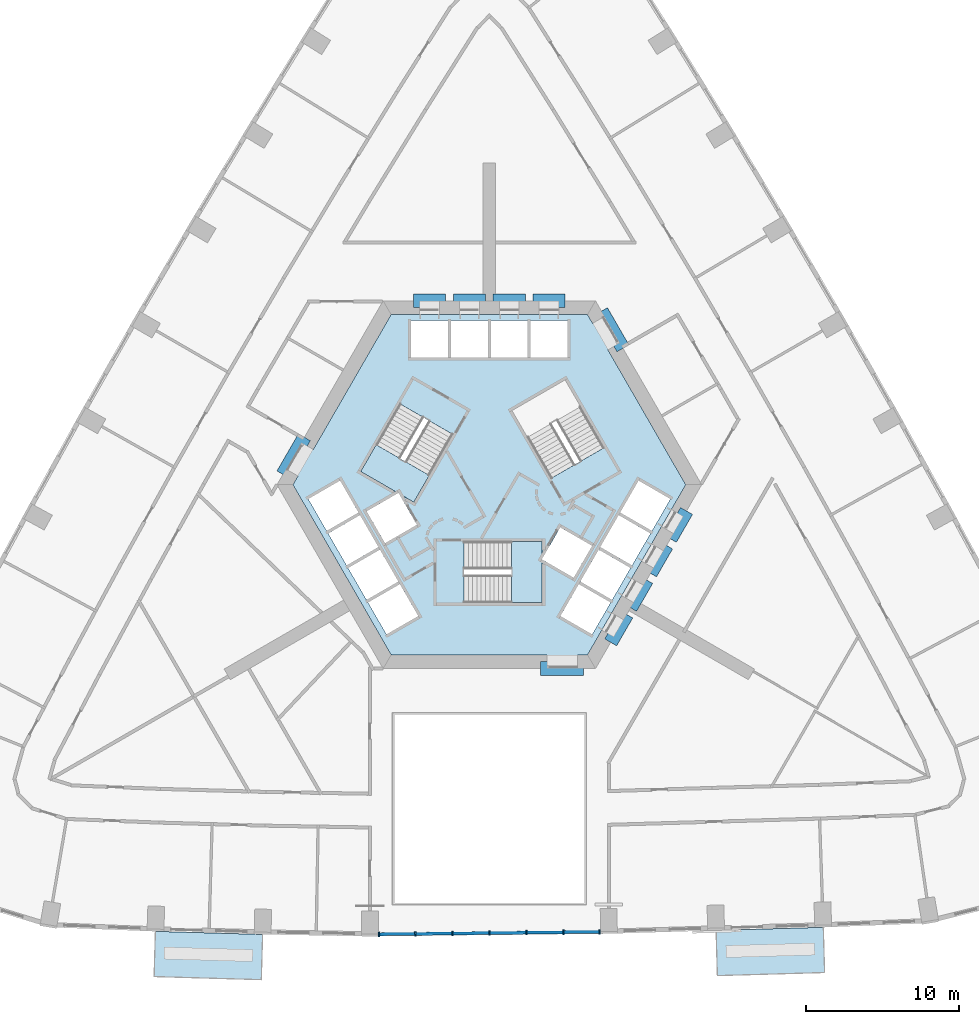
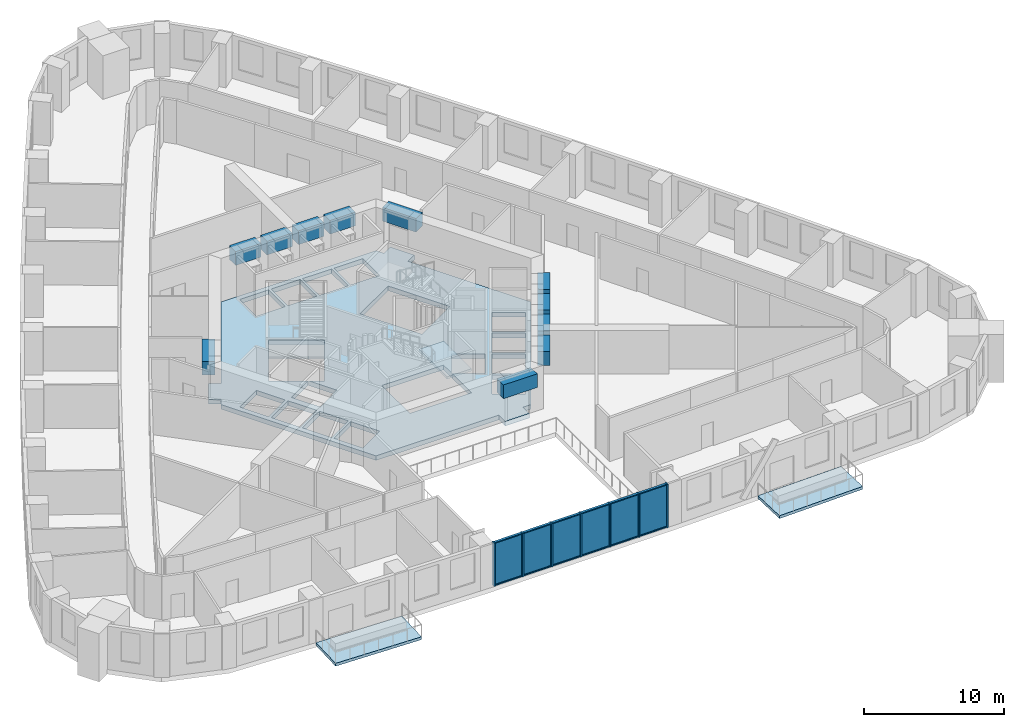
# One storey, part 2 of 14: 19 members, 11 beams, 6 plates, 5 slabs, 3 elements without a shape of their own.
"""IFC4 building model written with IfcOpenShell, lengths in metres."""

from ifc_helpers import new_model, si_unit, direction, frame, origin, origin_2d, place, context, subcontext, project, spatial, polyline, rectangle, outline, extrude, material, layer, layer_set, material_profile, profile_set, type_object, element, aggregate, save


model = new_model("IFC4")

# Units and contexts
model_context = context("Model", 3, precision=1e-05, world=origin(), true_north=direction((0.0, 1.0)))
body_context = subcontext(model_context, "Body", "Model", "MODEL_VIEW")
ifc_project = project(units=[si_unit("LENGTHUNIT", "METRE"), si_unit("AREAUNIT", "SQUARE_METRE"), si_unit("VOLUMEUNIT", "CUBIC_METRE"), si_unit("PLANEANGLEUNIT", "RADIAN"), si_unit("MASSUNIT", "GRAM", prefix="KILO")], contexts=[model_context])

# Site, building, storey
site_placement = place(None, origin())
site = spatial("IfcSite", under=ifc_project, at=site_placement, CompositionType="ELEMENT")
building_placement = place(site_placement, origin())
building = spatial("IfcBuilding", under=site, at=building_placement, Name="Entoto Arch Interchange Tower", CompositionType="ELEMENT")
storey_placement = place(building_placement, frame((0.0, 0.0, 103.39990234375)))
storey = spatial("IfcBuildingStorey", under=building, at=storey_placement, Name="L22", CompositionType="ELEMENT", Elevation=103.39990234375)

# Beams
ifc_material_1 = material(Name="Concrete C60/75", Category="concrete")
ifc_material_profile_1 = material_profile(ifc_material_1, rectangle(XDim=0.89990234375, YDim=1.199951171875, at=origin_2d()))
ifc_profile_set_1 = profile_set([ifc_material_profile_1], Name="Concrete C60/75")
beam_type = type_object("IfcBeamType", Name="Coupling beam RC 900x1200 C60/75", PredefinedType="BEAM", material=ifc_profile_set_1)
beam_1_placement = place(storey_placement, frame((8.717041015625, 11.402099609375, 3.0), z_axis=(-0.500200581029, 0.865909567298, 0.0), x_axis=(-0.865909567298, -0.500200581029, 0.0)))
element("IfcBeam", 1, at=beam_1_placement, inside=storey, type_object=beam_type, Name="Coupling beam NE L22", PredefinedType="BEAM", context=body_context, shape_type="SweptSolid", body=[
    extrude(rectangle(XDim=0.89990234375, YDim=1.199951171875, at=origin_2d()), origin(), (0.0, 0.0, 1.0), 2.799072265625),
])
beam_2_placement = place(storey_placement, frame((4.949951171875, 14.5, 3.0), z_axis=(-1.0, 0.0, 0.0), x_axis=(0.0, -1.0, 0.0)))
element("IfcBeam", 2, at=beam_2_placement, inside=storey, type_object=beam_type, Name="Coupling beam N L22", PredefinedType="BEAM", context=body_context, shape_type="SweptSolid", body=[
    extrude(rectangle(XDim=0.89990234375, YDim=1.199951171875, at=origin_2d()), origin(), (0.0, 0.0, 1.0), 2.099853515625),
])
for number, where, z_axis, x_axis, name in (
    (3, (2.35009765625, 14.5, 3.0), (-1.0, 0.0, 0.0), (0.0, -1.0, 0.0), "Coupling beam N L22"),
    (4, (-0.25, 14.5, 3.0), (-1.0, 0.0, 0.0), (0.0, -1.0, 0.0), "Coupling beam N L22"),
):
    element("IfcBeam", number, at=place(storey_placement, frame(where, z_axis=z_axis, x_axis=x_axis)), inside=storey, type_object=beam_type, Name=name, PredefinedType="BEAM", context=body_context, shape_type="SweptSolid", body=[
        extrude(rectangle(XDim=0.89990234375, YDim=1.199951171875, at=origin_2d()), origin(), (0.0, 0.0, 1.0), 2.10009765625),
    ])
beam_3_placement = place(storey_placement, frame((-2.85009765625, 14.5, 3.0), z_axis=(-1.0, 0.0, 0.0), x_axis=(0.0, -1.0, 0.0)))
element("IfcBeam", 5, at=beam_3_placement, inside=storey, type_object=beam_type, Name="Coupling beam N L22", PredefinedType="BEAM", context=body_context, shape_type="SweptSolid", body=[
    extrude(rectangle(XDim=0.89990234375, YDim=1.199951171875, at=origin_2d()), origin(), (0.0, 0.0, 1.0), 2.099853515625),
])
beam_4_placement = place(storey_placement, frame((-12.06689453125, 5.597900390625, 3.0), z_axis=(-0.500200581029, -0.865909567298, 0.0), x_axis=(0.865909567298, -0.500200581029, 0.0)))
element("IfcBeam", 6, at=beam_4_placement, inside=storey, type_object=beam_type, Name="Coupling beam NW L22", PredefinedType="BEAM", context=body_context, shape_type="SweptSolid", body=[
    extrude(rectangle(XDim=0.89990234375, YDim=1.199951171875, at=origin_2d()), origin(), (0.0, 0.0, 1.0), 2.799072265625),
])
beam_5_placement = place(storey_placement, frame((3.35009765625, -9.5, 3.0), z_axis=(1.0, 0.0, 0.0), x_axis=(0.0, 1.0, 0.0)))
element("IfcBeam", 7, at=beam_5_placement, inside=storey, type_object=beam_type, Name="Coupling beam S L22", PredefinedType="BEAM", context=body_context, shape_type="SweptSolid", body=[
    extrude(rectangle(XDim=0.89990234375, YDim=1.199951171875, at=origin_2d()), origin(), (0.0, 0.0, 1.0), 2.7998046875),
])
for number, where, z_axis, x_axis, name in (
    (8, (7.9169921875, -7.785888671875, 3.0), (0.500178781653, 0.865922159541, 0.0), (-0.865922159541, 0.500178781653, 0.0), "Coupling beam SE L22"),
    (9, (9.217041015625, -5.534912109375, 3.0), (0.500178781653, 0.865922159541, 0.0), (-0.865922159541, 0.500178781653, 0.0), "Coupling beam SE L22"),
):
    element("IfcBeam", number, at=place(storey_placement, frame(where, z_axis=z_axis, x_axis=x_axis)), inside=storey, type_object=beam_type, Name=name, PredefinedType="BEAM", context=body_context, shape_type="SweptSolid", body=[
        extrude(rectangle(XDim=0.89990234375, YDim=1.199951171875, at=origin_2d()), origin(), (0.0, 0.0, 1.0), 2.099365234375),
    ])
beam_6_placement = place(storey_placement, frame((10.51708984375, -3.282958984375, 3.0), z_axis=(0.500091574638, 0.865972526687, 0.0), x_axis=(-0.865972526687, 0.500091574638, 0.0)))
element("IfcBeam", 10, at=beam_6_placement, inside=storey, type_object=beam_type, Name="Coupling beam SE L22", PredefinedType="BEAM", context=body_context, shape_type="SweptSolid", body=[
    extrude(rectangle(XDim=0.89990234375, YDim=1.199951171875, at=origin_2d()), origin(), (0.0, 0.0, 1.0), 2.09912109375),
])
beam_7_placement = place(storey_placement, frame((11.81689453125, -1.031982421875, 3.0), z_axis=(0.500178781653, 0.865922159541, 0.0), x_axis=(-0.865922159541, 0.500178781653, 0.0)))
element("IfcBeam", 11, at=beam_7_placement, inside=storey, type_object=beam_type, Name="Coupling beam SE L22", PredefinedType="BEAM", context=body_context, shape_type="SweptSolid", body=[
    extrude(rectangle(XDim=0.89990234375, YDim=1.199951171875, at=origin_2d()), origin(), (0.0, 0.0, 1.0), 2.099365234375),
])

# Curtain wall, members
ifc_material_2 = material(Name="Aluminium, anodised", Category="aluminium")
curtain_wall_type = type_object("IfcCurtainWallType", Name="CURTAIN WALL ATRIUM", PredefinedType="NOTDEFINED", material=ifc_material_2)
curtain_wall_placement = place(storey_placement, origin())
curtain_wall = element("IfcCurtainWall", 12, at=curtain_wall_placement, inside=storey, type_object=curtain_wall_type, Name="Atrium glazing S-04 L22", PredefinedType="NOTDEFINED")
ifc_material_profile_2 = material_profile(ifc_material_2, rectangle(XDim=0.300048828125, YDim=0.10009765625, at=origin_2d()))
ifc_profile_set_2 = profile_set([ifc_material_profile_2], Name="Aluminium, anodised")
member_type_1 = type_object("IfcMemberType", Name="MULLION ATRIUM 100x300", PredefinedType="MULLION", material=ifc_profile_set_2)
member_1_placement = place(storey_placement, frame((-7.199951171875, -26.83447265625, 0.0), z_axis=(0.0, 0.0, 1.0), x_axis=(-0.011033811041, 0.999939125654, 0.0)))
member_1 = element("IfcMember", 13, at=member_1_placement, type_object=member_type_1, Name="CWA mullion 1", PredefinedType="MULLION", context=body_context, shape_type="SweptSolid", body=[
    extrude(rectangle(XDim=0.300048828125, YDim=0.10009765625, at=origin_2d()), origin(), (0.0, 0.0, 1.0), 3.800048828125),
])
member_2_placement = place(storey_placement, frame((-4.833251953125, -26.808349609375, 0.0), z_axis=(0.0, 0.0, 1.0), x_axis=(-0.011033811041, 0.999939125654, 0.0)))
member_2 = element("IfcMember", 14, at=member_2_placement, type_object=member_type_1, Name="CWA mullion 2", PredefinedType="MULLION", context=body_context, shape_type="SweptSolid", body=[
    extrude(rectangle(XDim=0.300048828125, YDim=0.10009765625, at=origin_2d()), origin(), (0.0, 0.0, 1.0), 3.800048828125),
])
member_3_placement = place(storey_placement, frame((-2.416748046875, -26.78173828125, 0.0), z_axis=(0.0, 0.0, 1.0), x_axis=(-0.011033811041, 0.999939125654, 0.0)))
member_3 = element("IfcMember", 15, at=member_3_placement, type_object=member_type_1, Name="CWA mullion 3", PredefinedType="MULLION", context=body_context, shape_type="SweptSolid", body=[
    extrude(rectangle(XDim=0.300048828125, YDim=0.10009765625, at=origin_2d()), origin(), (0.0, 0.0, 1.0), 3.800048828125),
])
member_4_placement = place(storey_placement, frame((0.0, -26.7548828125, 0.0), z_axis=(0.0, 0.0, 1.0), x_axis=(-0.011033811041, 0.999939125654, 0.0)))
member_4 = element("IfcMember", 16, at=member_4_placement, type_object=member_type_1, Name="CWA mullion 4", PredefinedType="MULLION", context=body_context, shape_type="SweptSolid", body=[
    extrude(rectangle(XDim=0.300048828125, YDim=0.10009765625, at=origin_2d()), origin(), (0.0, 0.0, 1.0), 3.800048828125),
])
member_5_placement = place(storey_placement, frame((2.416748046875, -26.728271484375, 0.0), z_axis=(0.0, 0.0, 1.0), x_axis=(-0.011033811041, 0.999939125654, 0.0)))
member_5 = element("IfcMember", 17, at=member_5_placement, type_object=member_type_1, Name="CWA mullion 5", PredefinedType="MULLION", context=body_context, shape_type="SweptSolid", body=[
    extrude(rectangle(XDim=0.300048828125, YDim=0.10009765625, at=origin_2d()), origin(), (0.0, 0.0, 1.0), 3.800048828125),
])
member_6_placement = place(storey_placement, frame((4.833251953125, -26.70166015625, 0.0), z_axis=(0.0, 0.0, 1.0), x_axis=(-0.011033811041, 0.999939125654, 0.0)))
member_6 = element("IfcMember", 18, at=member_6_placement, type_object=member_type_1, Name="CWA mullion 6", PredefinedType="MULLION", context=body_context, shape_type="SweptSolid", body=[
    extrude(rectangle(XDim=0.300048828125, YDim=0.10009765625, at=origin_2d()), origin(), (0.0, 0.0, 1.0), 3.800048828125),
])
member_7_placement = place(storey_placement, frame((7.199951171875, -26.675537109375, 0.0), z_axis=(0.0, 0.0, 1.0), x_axis=(-0.011033811041, 0.999939125654, 0.0)))
member_7 = element("IfcMember", 19, at=member_7_placement, type_object=member_type_1, Name="CWA mullion 7", PredefinedType="MULLION", context=body_context, shape_type="SweptSolid", body=[
    extrude(rectangle(XDim=0.300048828125, YDim=0.10009765625, at=origin_2d()), origin(), (0.0, 0.0, 1.0), 3.800048828125),
])
ifc_material_profile_3 = material_profile(ifc_material_2, rectangle(XDim=0.199951171875, YDim=0.080078125, at=origin_2d()))
ifc_profile_set_3 = profile_set([ifc_material_profile_3], Name="Aluminium, anodised")
member_type_2 = type_object("IfcMemberType", Name="TRANSOM ATRIUM 80x200", PredefinedType="USERDEFINED", material=ifc_profile_set_3)
member_8_placement = place(storey_placement, frame((-7.14990234375, -26.833984375, 0.0400390625), z_axis=(0.999938463314, 0.011093673171, 0.0), x_axis=(-0.011093673171, 0.999938463314, 0.0)))
member_8 = element("IfcMember", 20, at=member_8_placement, type_object=member_type_2, Name="CWA transom 1.1", ObjectType="TRANSOM", PredefinedType="USERDEFINED", context=body_context, shape_type="SweptSolid", body=[
    extrude(rectangle(XDim=0.199951171875, YDim=0.080078125, at=origin_2d()), origin(), (0.0, 0.0, 1.0), 2.266845703125),
])
member_9_placement = place(storey_placement, frame((-7.14990234375, -26.833984375, 3.760009765625), z_axis=(0.999938463314, 0.011093673171, 0.0), x_axis=(-0.011093673171, 0.999938463314, 0.0)))
member_9 = element("IfcMember", 21, at=member_9_placement, type_object=member_type_2, Name="CWA transom 1.2", ObjectType="TRANSOM", PredefinedType="USERDEFINED", context=body_context, shape_type="SweptSolid", body=[
    extrude(rectangle(XDim=0.199951171875, YDim=0.080078125, at=origin_2d()), origin(), (0.0, 0.0, 1.0), 2.266845703125),
])
member_10_placement = place(storey_placement, frame((-4.783447265625, -26.807861328125, 0.0400390625), z_axis=(0.999938796493, 0.011063601015, 0.0), x_axis=(-0.011063601015, 0.999938796493, 0.0)))
member_10 = element("IfcMember", 22, at=member_10_placement, type_object=member_type_2, Name="CWA transom 2.1", ObjectType="TRANSOM", PredefinedType="USERDEFINED", context=body_context, shape_type="SweptSolid", body=[
    extrude(rectangle(XDim=0.199951171875, YDim=0.080078125, at=origin_2d()), origin(), (0.0, 0.0, 1.0), 2.317138671875),
])
member_11_placement = place(storey_placement, frame((-4.783447265625, -26.807861328125, 3.760009765625), z_axis=(0.999938796493, 0.011063601015, 0.0), x_axis=(-0.011063601015, 0.999938796493, 0.0)))
member_11 = element("IfcMember", 23, at=member_11_placement, type_object=member_type_2, Name="CWA transom 2.2", ObjectType="TRANSOM", PredefinedType="USERDEFINED", context=body_context, shape_type="SweptSolid", body=[
    extrude(rectangle(XDim=0.199951171875, YDim=0.080078125, at=origin_2d()), origin(), (0.0, 0.0, 1.0), 2.317138671875),
])
member_12_placement = place(storey_placement, frame((-2.36669921875, -26.781005859375, 0.0400390625), z_axis=(0.999939943964, 0.010959400798, 0.0), x_axis=(-0.010959400798, 0.999939943964, 0.0)))
member_12 = element("IfcMember", 24, at=member_12_placement, type_object=member_type_2, Name="CWA transom 3.1", ObjectType="TRANSOM", PredefinedType="USERDEFINED", context=body_context, shape_type="SweptSolid", body=[
    extrude(rectangle(XDim=0.199951171875, YDim=0.080078125, at=origin_2d()), origin(), (0.0, 0.0, 1.0), 2.31689453125),
])
member_13_placement = place(storey_placement, frame((-2.36669921875, -26.781005859375, 3.760009765625), z_axis=(0.999939943964, 0.010959400798, 0.0), x_axis=(-0.010959400798, 0.999939943964, 0.0)))
member_13 = element("IfcMember", 25, at=member_13_placement, type_object=member_type_2, Name="CWA transom 3.2", ObjectType="TRANSOM", PredefinedType="USERDEFINED", context=body_context, shape_type="SweptSolid", body=[
    extrude(rectangle(XDim=0.199951171875, YDim=0.080078125, at=origin_2d()), origin(), (0.0, 0.0, 1.0), 2.31689453125),
])
member_14_placement = place(storey_placement, frame((0.050048828125, -26.75439453125, 0.0400390625), z_axis=(0.999939943964, 0.010959400798, 0.0), x_axis=(-0.010959400798, 0.999939943964, 0.0)))
member_14 = element("IfcMember", 26, at=member_14_placement, type_object=member_type_2, Name="CWA transom 4.1", ObjectType="TRANSOM", PredefinedType="USERDEFINED", context=body_context, shape_type="SweptSolid", body=[
    extrude(rectangle(XDim=0.199951171875, YDim=0.080078125, at=origin_2d()), origin(), (0.0, 0.0, 1.0), 2.31689453125),
])
member_15_placement = place(storey_placement, frame((0.050048828125, -26.75439453125, 3.760009765625), z_axis=(0.999939943964, 0.010959400798, 0.0), x_axis=(-0.010959400798, 0.999939943964, 0.0)))
member_15 = element("IfcMember", 27, at=member_15_placement, type_object=member_type_2, Name="CWA transom 4.2", ObjectType="TRANSOM", PredefinedType="USERDEFINED", context=body_context, shape_type="SweptSolid", body=[
    extrude(rectangle(XDim=0.199951171875, YDim=0.080078125, at=origin_2d()), origin(), (0.0, 0.0, 1.0), 2.31689453125),
])
member_16_placement = place(storey_placement, frame((2.466552734375, -26.727783203125, 0.0400390625), z_axis=(0.999938796493, 0.011063601015, 0.0), x_axis=(-0.011063601015, 0.999938796493, 0.0)))
member_16 = element("IfcMember", 28, at=member_16_placement, type_object=member_type_2, Name="CWA transom 5.1", ObjectType="TRANSOM", PredefinedType="USERDEFINED", context=body_context, shape_type="SweptSolid", body=[
    extrude(rectangle(XDim=0.199951171875, YDim=0.080078125, at=origin_2d()), origin(), (0.0, 0.0, 1.0), 2.317138671875),
])
member_17_placement = place(storey_placement, frame((2.466552734375, -26.727783203125, 3.760009765625), z_axis=(0.999938796493, 0.011063601015, 0.0), x_axis=(-0.011063601015, 0.999938796493, 0.0)))
member_17 = element("IfcMember", 29, at=member_17_placement, type_object=member_type_2, Name="CWA transom 5.2", ObjectType="TRANSOM", PredefinedType="USERDEFINED", context=body_context, shape_type="SweptSolid", body=[
    extrude(rectangle(XDim=0.199951171875, YDim=0.080078125, at=origin_2d()), origin(), (0.0, 0.0, 1.0), 2.317138671875),
])
member_18_placement = place(storey_placement, frame((4.88330078125, -26.701171875, 0.0400390625), z_axis=(0.999938463314, 0.011093673171, 0.0), x_axis=(-0.011093673171, 0.999938463314, 0.0)))
member_18 = element("IfcMember", 30, at=member_18_placement, type_object=member_type_2, Name="CWA transom 6.1", ObjectType="TRANSOM", PredefinedType="USERDEFINED", context=body_context, shape_type="SweptSolid", body=[
    extrude(rectangle(XDim=0.199951171875, YDim=0.080078125, at=origin_2d()), origin(), (0.0, 0.0, 1.0), 2.266845703125),
])
member_19_placement = place(storey_placement, frame((4.88330078125, -26.701171875, 3.760009765625), z_axis=(0.999938463314, 0.011093673171, 0.0), x_axis=(-0.011093673171, 0.999938463314, 0.0)))
member_19 = element("IfcMember", 31, at=member_19_placement, type_object=member_type_2, Name="CWA transom 6.2", ObjectType="TRANSOM", PredefinedType="USERDEFINED", context=body_context, shape_type="SweptSolid", body=[
    extrude(rectangle(XDim=0.199951171875, YDim=0.080078125, at=origin_2d()), origin(), (0.0, 0.0, 1.0), 2.266845703125),
])

# Slabs
ifc_material_3 = material(Name="Board-marked precast concrete C50/60", Category="concrete")
ifc_layer_1 = layer(ifc_material_3, 0.25)
ifc_layer_set_1 = layer_set([ifc_layer_1], Name="Board-marked precast concrete C50/60")
slab_type_1 = type_object("IfcSlabType", Name="BALCONY DECK PRECAST 250", PredefinedType="FLOOR", material=ifc_layer_set_1)
slab_1_placement = place(storey_placement, frame((0.0, 0.0, -0.25)))
element("IfcSlab", 32, at=slab_1_placement, inside=storey, type_object=slab_type_1, Name="Planted balcony S-02 L22", PredefinedType="FLOOR", context=body_context, shape_type="SweptSolid", body=[
    extrude(outline(polyline([(-21.7890625, -26.64208984375), (-14.794921875, -26.843017578125), (-14.8798828125, -29.7919921875), (-21.8740234375, -29.591064453125), (-21.7890625, -26.64208984375)])), origin(), (0.0, 0.0, 1.0), 0.25),
])
slab_2_placement = place(storey_placement, frame((0.0, 0.0, -0.25)))
element("IfcSlab", 33, at=slab_2_placement, inside=storey, type_object=slab_type_1, Name="Planted balcony S-06 L22", PredefinedType="FLOOR", context=body_context, shape_type="SweptSolid", body=[
    extrude(outline(polyline([(14.794921875, -26.5791015625), (21.7890625, -26.3779296875), (21.8740234375, -29.326904296875), (14.8798828125, -29.528076171875), (14.794921875, -26.5791015625)])), origin(), (0.0, 0.0, 1.0), 0.25),
])
ifc_material_4 = material(Name="Concrete C40/50", Category="concrete")
ifc_layer_2 = layer(ifc_material_4, 0.39990234375)
ifc_layer_set_2 = layer_set([ifc_layer_2], Name="Concrete C40/50")
slab_type_2 = type_object("IfcSlabType", Name="Core floor slab 400 C40/50", PredefinedType="FLOOR", material=ifc_layer_set_2)
slab_3_placement = place(storey_placement, frame((0.0, 0.0, -0.39990234375)))
element("IfcSlab", 34, at=slab_3_placement, inside=storey, type_object=slab_type_2, Name="Core floor slab L22", PredefinedType="FLOOR", context=body_context, shape_type="SweptSolid", body=[
    extrude(outline(polyline([(5.75, -9.5), (3.75, -9.5), (3.75, -8.60009765625), (-6.408935546875, -8.60009765625), (-12.81689453125, 2.5), (-12.488037109375, 3.070068359375), (-13.26708984375, 3.52001953125), (-12.26708984375, 5.251953125), (-11.488037109375, 4.802001953125), (-6.408935546875, 13.60009765625), (6.408935546875, 13.60009765625), (6.738037109375, 13.030029296875), (7.51708984375, 13.47998046875), (8.51708984375, 11.748046875), (7.738037109375, 11.298095703125), (12.81689453125, 2.5), (6.408935546875, -8.60009765625), (5.75, -8.60009765625), (5.75, -9.5)]), holes=[polyline([(-4.637939453125, -6.06689453125), (-5.837890625, -3.988037109375), (-7.916015625, -5.18798828125), (-6.716064453125, -7.26708984375), (-4.637939453125, -6.06689453125)]), polyline([(-5.93798828125, -3.81494140625), (-7.137939453125, -1.737060546875), (-9.216064453125, -2.93701171875), (-8.01611328125, -5.014892578125), (-5.93798828125, -3.81494140625)]), polyline([(5.5048828125, -3.56494140625), (6.705078125, -1.487060546875), (4.626953125, -0.287109375), (3.449951171875, -2.324951171875), (3.449951171875, -1.199951171875), (-1.64990234375, -1.199951171875), (-1.64990234375, -5.199951171875), (3.449951171875, -5.199951171875), (3.449951171875, -2.3779296875), (5.5048828125, -3.56494140625)]), polyline([(-7.238037109375, -1.56298828125), (-8.43798828125, 0.514892578125), (-10.51611328125, -0.68505859375), (-9.31591796875, -2.762939453125), (-7.238037109375, -1.56298828125)]), polyline([(-4.72705078125, -0.113037109375), (-5.904052734375, 1.925048828125), (-4.928955078125, 1.362060546875), (-2.37890625, 5.779052734375), (-5.843017578125, 7.779052734375), (-8.39306640625, 3.362060546875), (-5.949951171875, 1.951904296875), (-8.0048828125, 0.764892578125), (-6.804931640625, -1.31298828125), (-4.72705078125, -0.113037109375)]), polyline([(-8.5380859375, 0.68798828125), (-9.738037109375, 2.76708984375), (-11.81591796875, 1.56689453125), (-10.615966796875, -0.511962890625), (-8.5380859375, 0.68798828125)]), polyline([(-5.10009765625, 10.800048828125), (-2.699951171875, 10.800048828125), (-2.699951171875, 13.199951171875), (-5.10009765625, 13.199951171875), (-5.10009765625, 10.800048828125)]), polyline([(-2.5, 10.800048828125), (-0.10009765625, 10.800048828125), (-0.10009765625, 13.199951171875), (-2.5, 13.199951171875), (-2.5, 10.800048828125)]), polyline([(5.837890625, -3.988037109375), (4.637939453125, -6.06689453125), (6.716064453125, -7.26708984375), (7.916015625, -5.18798828125), (5.837890625, -3.988037109375)]), polyline([(7.137939453125, -1.737060546875), (5.93798828125, -3.81494140625), (8.01611328125, -5.014892578125), (9.216064453125, -2.93701171875), (7.137939453125, -1.737060546875)]), polyline([(8.43798828125, 0.514892578125), (7.238037109375, -1.56298828125), (9.31591796875, -2.762939453125), (10.51611328125, -0.68505859375), (8.43798828125, 0.514892578125)]), polyline([(9.738037109375, 2.76708984375), (8.5380859375, 0.68798828125), (10.615966796875, -0.511962890625), (11.81591796875, 1.56689453125), (9.738037109375, 2.76708984375)]), polyline([(4.029052734375, 2.9208984375), (7.492919921875, 4.9208984375), (4.943115234375, 9.337890625), (1.47900390625, 7.337890625), (4.029052734375, 2.9208984375)]), polyline([(0.10009765625, 13.199951171875), (0.10009765625, 10.800048828125), (2.5, 10.800048828125), (2.5, 13.199951171875), (0.10009765625, 13.199951171875)]), polyline([(2.699951171875, 13.199951171875), (2.699951171875, 10.800048828125), (5.10009765625, 10.800048828125), (5.10009765625, 13.199951171875), (2.699951171875, 13.199951171875)])]), origin(), (0.0, 0.0, 1.0), 0.39990234375),
])

# Stair, slab
stair_type = type_object("IfcStairType", Name="EXIT STAIR RC 1800", PredefinedType="HALF_TURN_STAIR", material=ifc_material_4)
stair_1_placement = place(storey_placement, origin())
stair_1 = element("IfcStair", 35, at=stair_1_placement, inside=storey, type_object=stair_type, Name="L22 Exit stair S", PredefinedType="HALF_TURN_STAIR")
ifc_layer_3 = layer(ifc_material_4, 0.199951171875)
ifc_layer_set_3 = layer_set([ifc_layer_3], Name="Concrete C40/50")
slab_type_3 = type_object("IfcSlabType", Name="EXIT STAIR LANDING RC 200", PredefinedType="LANDING", material=ifc_layer_set_3)
slab_4_placement = place(storey_placement, frame((0.0, 0.0, 1.900146484375)))
slab_4 = element("IfcSlab", 36, at=slab_4_placement, type_object=slab_type_3, Name="ST-S landing 1", PredefinedType="LANDING", context=body_context, shape_type="SweptSolid", body=[
    extrude(outline(polyline([(1.429931640625, -5.199951171875), (3.449951171875, -5.199951171875), (3.449951171875, -1.199951171875), (1.429931640625, -1.199951171875), (1.429931640625, -5.199951171875)])), origin(), (0.0, 0.0, 1.0), 0.199951171875),
])
aggregate(stair_1, [slab_4])

stair_2_placement = place(storey_placement, origin())
stair_2 = element("IfcStair", 37, at=stair_2_placement, inside=storey, type_object=stair_type, Name="L22 Exit stair NW", PredefinedType="HALF_TURN_STAIR")
slab_5_placement = place(storey_placement, frame((0.0, 0.0, 1.900146484375)))
slab_5 = element("IfcSlab", 38, at=slab_5_placement, type_object=slab_type_3, Name="ST-NW landing 1", PredefinedType="LANDING", context=body_context, shape_type="SweptSolid", body=[
    extrude(outline(polyline([(-7.38330078125, 5.111572265625), (-8.393310546875, 3.3623046875), (-4.92919921875, 1.3623046875), (-3.919189453125, 3.111572265625), (-7.38330078125, 5.111572265625)])), origin(), (0.0, 0.0, 1.0), 0.199951171875),
])
aggregate(stair_2, [slab_5])

# Plate
ifc_material_5 = material(Name="Clear glass, low-e double glazed", Category="glass")
ifc_layer_4 = layer(ifc_material_5, 0.031982421875)
ifc_layer_set_4 = layer_set([ifc_layer_4], Name="Clear glass, low-e double glazed")
plate_type = type_object("IfcPlateType", Name="GLAZING PANEL ATRIUM 32", PredefinedType="CURTAIN_PANEL", material=ifc_layer_set_4)
plate_1_placement = place(storey_placement, frame((-6.0166015625, -26.8212890625, 0.080078125), z_axis=(0.0, 0.0, 1.0), x_axis=(0.999939125654, 0.011033811041, 0.0)))
plate_1 = element("IfcPlate", 39, at=plate_1_placement, type_object=plate_type, Name="CWA panel 1.1", PredefinedType="CURTAIN_PANEL", context=body_context, shape_type="SweptSolid", body=[
    extrude(rectangle(XDim=2.266845703125, YDim=0.031982421875, at=origin_2d()), origin(), (0.0, 0.0, 1.0), 3.639892578125),
])

plate_2_placement = place(storey_placement, frame((-3.625, -26.794921875, 0.080078125), z_axis=(0.0, 0.0, 1.0), x_axis=(0.999939125654, 0.011033811041, 0.0)))
plate_2 = element("IfcPlate", 40, at=plate_2_placement, type_object=plate_type, Name="CWA panel 2.1", PredefinedType="CURTAIN_PANEL", context=body_context, shape_type="SweptSolid", body=[
    extrude(rectangle(XDim=2.31689453125, YDim=0.031982421875, at=origin_2d()), origin(), (0.0, 0.0, 1.0), 3.639892578125),
])

plate_3_placement = place(storey_placement, frame((-1.208251953125, -26.768310546875, 0.080078125), z_axis=(0.0, 0.0, 1.0), x_axis=(0.999939125654, 0.011033811041, 0.0)))
plate_3 = element("IfcPlate", 41, at=plate_3_placement, type_object=plate_type, Name="CWA panel 3.1", PredefinedType="CURTAIN_PANEL", context=body_context, shape_type="SweptSolid", body=[
    extrude(rectangle(XDim=2.31689453125, YDim=0.031982421875, at=origin_2d()), origin(), (0.0, 0.0, 1.0), 3.639892578125),
])

plate_4_placement = place(storey_placement, frame((1.208251953125, -26.74169921875, 0.080078125), z_axis=(0.0, 0.0, 1.0), x_axis=(0.999939125654, 0.011033811041, 0.0)))
plate_4 = element("IfcPlate", 42, at=plate_4_placement, type_object=plate_type, Name="CWA panel 4.1", PredefinedType="CURTAIN_PANEL", context=body_context, shape_type="SweptSolid", body=[
    extrude(rectangle(XDim=2.31689453125, YDim=0.031982421875, at=origin_2d()), origin(), (0.0, 0.0, 1.0), 3.639892578125),
])

plate_5_placement = place(storey_placement, frame((3.625, -26.715087890625, 0.080078125), z_axis=(0.0, 0.0, 1.0), x_axis=(0.999939125654, 0.011033811041, 0.0)))
plate_5 = element("IfcPlate", 43, at=plate_5_placement, type_object=plate_type, Name="CWA panel 5.1", PredefinedType="CURTAIN_PANEL", context=body_context, shape_type="SweptSolid", body=[
    extrude(rectangle(XDim=2.31689453125, YDim=0.031982421875, at=origin_2d()), origin(), (0.0, 0.0, 1.0), 3.639892578125),
])

plate_6_placement = place(storey_placement, frame((6.0166015625, -26.688720703125, 0.080078125), z_axis=(0.0, 0.0, 1.0), x_axis=(0.999939125654, 0.011033811041, 0.0)))
plate_6 = element("IfcPlate", 44, at=plate_6_placement, type_object=plate_type, Name="CWA panel 6.1", PredefinedType="CURTAIN_PANEL", context=body_context, shape_type="SweptSolid", body=[
    extrude(rectangle(XDim=2.266845703125, YDim=0.031982421875, at=origin_2d()), origin(), (0.0, 0.0, 1.0), 3.639892578125),
])

aggregate(curtain_wall, [member_1, member_2, member_3, member_4, member_5, member_6, member_7, member_8, member_9, plate_1, member_10, member_11, plate_2, member_12, member_13, plate_3, member_14, member_15, plate_4, member_16, member_17, plate_5, member_18, member_19, plate_6])

save(model, "model.ifc")
